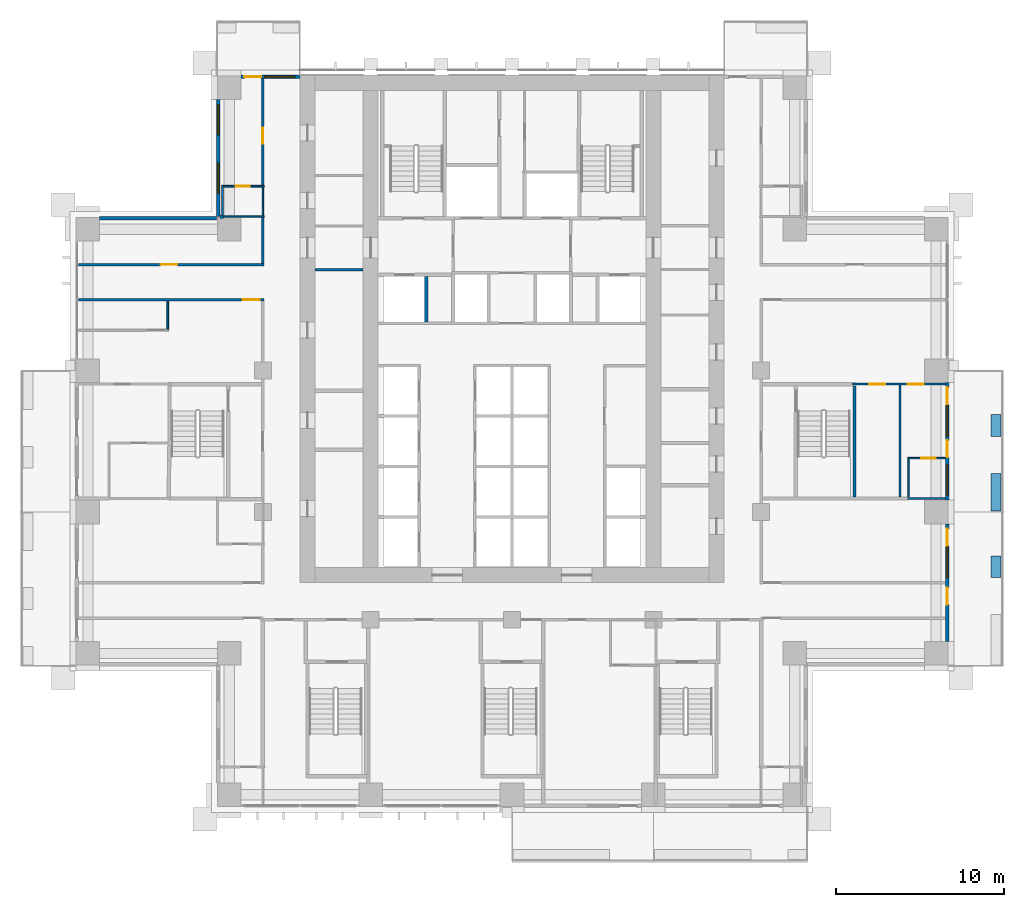
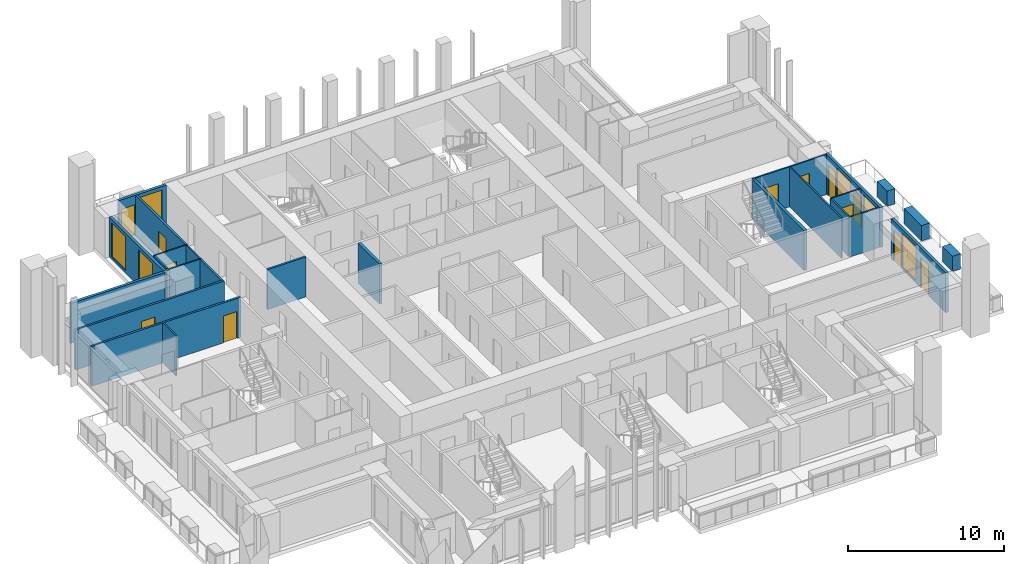
# One storey, part 12 of 19: 26 walls, 12 doors, 6 windows, 18 openings.
"""IFC4 building model written with IfcOpenShell, lengths in metres."""

from ifc_helpers import new_model, si_unit, direction, frame, frame_2d, origin, place, context, subcontext, project, spatial, rectangle, extrude, material, layer, layer_set, type_object, element, fill, save


model = new_model("IFC4")

# Units and contexts
model_context = context("Model", 3, precision=1e-05, world=origin(), true_north=direction((0.0, 1.0)))
body_context = subcontext(model_context, "Body", "Model", "MODEL_VIEW")
ifc_project = project(units=[si_unit("LENGTHUNIT", "METRE"), si_unit("AREAUNIT", "SQUARE_METRE"), si_unit("VOLUMEUNIT", "CUBIC_METRE"), si_unit("PLANEANGLEUNIT", "RADIAN"), si_unit("MASSUNIT", "GRAM", prefix="KILO")], contexts=[model_context])

# Site, building, storey
site_placement = place(None, origin())
site = spatial("IfcSite", under=ifc_project, at=site_placement, CompositionType="ELEMENT")
building_placement = place(site_placement, origin())
building = spatial("IfcBuilding", under=site, at=building_placement, Name="Vermilion Ogive Tower", CompositionType="ELEMENT")
storey_placement = place(building_placement, frame((0.0, 0.0, 48.300048828125)))
storey = spatial("IfcBuildingStorey", under=building, at=storey_placement, Name="L10", CompositionType="ELEMENT", Elevation=48.300048828125)

# Wall
ifc_material_1 = material(Name="Gypsum board partition on steel studs", Category="steel")
ifc_layer_1 = layer(ifc_material_1, 0.10009765625)
ifc_layer_set_1 = layer_set([ifc_layer_1], Name="Partition 100 bath")
wall_type_1 = type_object("IfcWallType", Name="Partition 100 bath", PredefinedType="PARTITIONING", material=ifc_layer_set_1)
wall_1_placement = place(storey_placement, frame((23.5, -3.39990234375, 0.0), z_axis=(0.0, 0.0, 1.0), x_axis=(1.0, 0.0, 0.0)))
element("IfcWall", 1, at=wall_1_placement, inside=storey, type_object=wall_type_1, Name="L10-W-W023", PredefinedType="PARTITIONING", context=body_context, shape_type="SweptSolid", body=[
    extrude(rectangle(XDim=2.25, YDim=0.10009765625, at=frame_2d((1.125, 0.0))), origin(), (0.0, 0.0, 1.0), 3.1298828125),
])

# Wall, opening, door
wall_2_placement = place(storey_placement, frame((23.5, -1.0, 0.0), z_axis=(0.0, 0.0, 1.0), x_axis=(1.0, 0.0, 0.0)))
wall_2 = element("IfcWall", 2, at=wall_2_placement, inside=storey, type_object=wall_type_1, Name="L10-W-W024", PredefinedType="PARTITIONING", context=body_context, shape_type="SweptSolid", body=[
    extrude(rectangle(XDim=2.25, YDim=0.10009765625, at=frame_2d((1.125, 0.0))), origin(), (0.0, 0.0, 1.0), 3.1298828125),
])
opening_1_placement = place(wall_2_placement, frame((0.824951171875, 0.0, 0.0)))
opening_1 = element("IfcOpeningElement", 3, at=opening_1_placement, cuts=wall_2, Name="Opening D1G3020", PredefinedType="OPENING", context=body_context, shape_type="SweptSolid", body=[
    extrude(rectangle(XDim=0.85009765625, YDim=2.10009765625, at=frame_2d((0.425048828125, 1.050048828125))), frame((0.0, 0.06005859375, 0.0), z_axis=(0.0, -1.0, 0.0), x_axis=(1.0, 0.0, 0.0)), (0.0, 0.0, 1.0), 0.1201171875),
])
ifc_material_2 = material(Name="Timber door leaf", Category="wood")
door_type_1 = type_object("IfcDoorType", Name="Bath door 850 x 2100 FD30", OperationType="SINGLE_SWING_LEFT", PredefinedType="DOOR", material=ifc_material_2)
door_1_placement = place(opening_1_placement, origin())
door_1 = element("IfcDoor", 4, at=door_1_placement, inside=storey, type_object=door_type_1, Name="L10-D-D020", OperationType="SINGLE_SWING_RIGHT", OverallHeight=2.10009765625, OverallWidth=0.85009765625, PredefinedType="DOOR", context=body_context, shape_type="SweptSolid", body=[
    extrude(rectangle(XDim=0.85009765625, YDim=2.10009765625, at=frame_2d((0.425048828125, 1.050048828125))), frame((0.0, 0.02490234375, 0.0), z_axis=(0.0, -1.0, 0.0), x_axis=(1.0, 0.0, 0.0)), (0.0, 0.0, 1.0), 0.050048828125),
])
fill(opening_1, door_1)

# Wall
wall_3_placement = place(storey_placement, frame((-17.25, 13.35009765625, 0.0), z_axis=(0.0, 0.0, 1.0), x_axis=(1.0, 0.0, 0.0)))
element("IfcWall", 5, at=wall_3_placement, inside=storey, type_object=wall_type_1, Name="L10-W-W036", PredefinedType="PARTITIONING", context=body_context, shape_type="SweptSolid", body=[
    extrude(rectangle(XDim=2.52490234375, YDim=0.10009765625, at=frame_2d((1.262451171875, 0.0))), origin(), (0.0, 0.0, 1.0), 3.1298828125),
])

# Wall, opening, door
wall_4_placement = place(storey_placement, frame((-17.25, 15.14990234375, 0.0), z_axis=(0.0, 0.0, 1.0), x_axis=(1.0, 0.0, 0.0)))
wall_4 = element("IfcWall", 6, at=wall_4_placement, inside=storey, type_object=wall_type_1, Name="L10-W-W039", PredefinedType="PARTITIONING", context=body_context, shape_type="SweptSolid", body=[
    extrude(rectangle(XDim=2.52490234375, YDim=0.10009765625, at=frame_2d((1.262451171875, 0.0))), origin(), (0.0, 0.0, 1.0), 3.1298828125),
])
opening_2_placement = place(wall_4_placement, frame((0.824951171875, 0.0, 0.0)))
opening_2 = element("IfcOpeningElement", 7, at=opening_2_placement, cuts=wall_4, Name="Opening D1G3010", PredefinedType="OPENING", context=body_context, shape_type="SweptSolid", body=[
    extrude(rectangle(XDim=0.85009765625, YDim=2.10009765625, at=frame_2d((0.425048828125, 1.050048828125))), frame((0.0, 0.06005859375, 0.0), z_axis=(0.0, -1.0, 0.0), x_axis=(1.0, 0.0, 0.0)), (0.0, 0.0, 1.0), 0.1201171875),
])
door_2_placement = place(opening_2_placement, origin())
door_2 = element("IfcDoor", 8, at=door_2_placement, inside=storey, type_object=door_type_1, Name="L10-D-D010", OperationType="SINGLE_SWING_RIGHT", OverallHeight=2.10009765625, OverallWidth=0.85009765625, PredefinedType="DOOR", context=body_context, shape_type="SweptSolid", body=[
    extrude(rectangle(XDim=0.85009765625, YDim=2.10009765625, at=frame_2d((0.425048828125, 1.050048828125))), frame((0.0, 0.02490234375, 0.0), z_axis=(0.0, -1.0, 0.0), x_axis=(1.0, 0.0, 0.0)), (0.0, 0.0, 1.0), 0.050048828125),
])
fill(opening_2, door_2)

# Walls
wall_5_placement = place(storey_placement, frame((-17.199951171875, 13.449951171875, 0.0), z_axis=(0.0, 0.0, 1.0), x_axis=(0.0, 1.0, 0.0)))
element("IfcWall", 9, at=wall_5_placement, inside=storey, type_object=wall_type_1, Name="L10-W-W046", PredefinedType="PARTITIONING", context=body_context, shape_type="SweptSolid", body=[
    extrude(rectangle(XDim=1.650146484375, YDim=0.10009765625, at=frame_2d((0.8251953125, 0.0))), origin(), (0.0, 0.0, 1.0), 3.1298828125),
])
wall_6_placement = place(storey_placement, frame((-14.800048828125, 13.39990234375, 0.0), z_axis=(0.0, 0.0, 1.0), x_axis=(0.0, 1.0, 0.0)))
element("IfcWall", 10, at=wall_6_placement, inside=storey, type_object=wall_type_1, Name="L10-W-W054", PredefinedType="PARTITIONING", context=body_context, shape_type="SweptSolid", body=[
    extrude(rectangle(XDim=1.7001953125, YDim=0.10009765625, at=frame_2d((0.85009765625, 0.0))), origin(), (0.0, 0.0, 1.0), 3.1298828125),
])
wall_7_placement = place(storey_placement, frame((23.550048828125, -3.300048828125, 0.0), z_axis=(0.0, 0.0, 1.0), x_axis=(0.0, 1.0, 0.0)))
element("IfcWall", 11, at=wall_7_placement, inside=storey, type_object=wall_type_1, Name="L10-W-W081", PredefinedType="PARTITIONING", context=body_context, shape_type="SweptSolid", body=[
    extrude(rectangle(XDim=2.25, YDim=0.10009765625, at=frame_2d((1.125, 0.0))), origin(), (0.0, 0.0, 1.0), 3.1298828125),
])

# Wall, openings, doors
ifc_material_3 = material(Name="Gypsum board partition on steel studs", Category="steel")
ifc_layer_2 = layer(ifc_material_3, 0.10009765625)
ifc_layer_set_2 = layer_set([ifc_layer_2], Name="Partition 100 inner")
wall_type_2 = type_object("IfcWallType", Name="Partition 100 inner", PredefinedType="PARTITIONING", material=ifc_layer_set_2)
wall_8_placement = place(storey_placement, frame((20.25, 3.39990234375, 0.0), z_axis=(0.0, 0.0, 1.0), x_axis=(1.0, 0.0, 0.0)))
wall_8 = element("IfcWall", 12, at=wall_8_placement, inside=storey, type_object=wall_type_2, Name="L10-W-W029", PredefinedType="PARTITIONING", context=body_context, shape_type="SweptSolid", body=[
    extrude(rectangle(XDim=5.5, YDim=0.10009765625, at=frame_2d((2.75, 0.0))), origin(), (0.0, 0.0, 1.0), 3.1298828125),
])
opening_3_placement = place(wall_8_placement, frame((3.27490234375, 0.0, 0.0)))
opening_3 = element("IfcOpeningElement", 13, at=opening_3_placement, cuts=wall_8, Name="Opening D1G3017", PredefinedType="OPENING", context=body_context, shape_type="SweptSolid", body=[
    extrude(rectangle(XDim=0.949951171875, YDim=2.10009765625, at=frame_2d((0.47509765625, 1.050048828125))), frame((0.0, 0.06005859375, 0.0), z_axis=(0.0, -1.0, 0.0), x_axis=(1.0, 0.0, 0.0)), (0.0, 0.0, 1.0), 0.1201171875),
])
opening_4_placement = place(wall_8_placement, frame((0.97509765625, 0.0, 0.0)))
opening_4 = element("IfcOpeningElement", 14, at=opening_4_placement, cuts=wall_8, Name="Opening D1G3019", PredefinedType="OPENING", context=body_context, shape_type="SweptSolid", body=[
    extrude(rectangle(XDim=0.949951171875, YDim=2.10009765625, at=frame_2d((0.47509765625, 1.050048828125))), frame((0.0, 0.06005859375, 0.0), z_axis=(0.0, -1.0, 0.0), x_axis=(1.0, 0.0, 0.0)), (0.0, 0.0, 1.0), 0.1201171875),
])
ifc_material_4 = material(Name="Timber door leaf", Category="wood")
door_type_2 = type_object("IfcDoorType", Name="Inner door 950 x 2100 FD30", OperationType="SINGLE_SWING_LEFT", PredefinedType="DOOR", material=ifc_material_4)
door_3_placement = place(opening_3_placement, origin())
door_3 = element("IfcDoor", 15, at=door_3_placement, inside=storey, type_object=door_type_2, Name="L10-D-D017", OperationType="SINGLE_SWING_RIGHT", OverallHeight=2.10009765625, OverallWidth=0.949951171875, PredefinedType="DOOR", context=body_context, shape_type="SweptSolid", body=[
    extrude(rectangle(XDim=0.949951171875, YDim=2.10009765625, at=frame_2d((0.47509765625, 1.050048828125))), frame((0.0, 0.02490234375, 0.0), z_axis=(0.0, -1.0, 0.0), x_axis=(1.0, 0.0, 0.0)), (0.0, 0.0, 1.0), 0.050048828125),
])
fill(opening_3, door_3)
door_4_placement = place(opening_4_placement, origin())
door_4 = element("IfcDoor", 16, at=door_4_placement, inside=storey, type_object=door_type_2, Name="L10-D-D019", OperationType="SINGLE_SWING_RIGHT", OverallHeight=2.10009765625, OverallWidth=0.949951171875, PredefinedType="DOOR", context=body_context, shape_type="SweptSolid", body=[
    extrude(rectangle(XDim=0.949951171875, YDim=2.10009765625, at=frame_2d((0.47509765625, 1.050048828125))), frame((0.0, 0.02490234375, 0.0), z_axis=(0.0, -1.0, 0.0), x_axis=(1.0, 0.0, 0.0)), (0.0, 0.0, 1.0), 0.050048828125),
])
fill(opening_4, door_4)

# Walls
wall_9_placement = place(storey_placement, frame((-20.449951171875, 6.64990234375, 0.0), z_axis=(0.0, 0.0, 1.0), x_axis=(0.0, 1.0, 0.0)))
element("IfcWall", 17, at=wall_9_placement, inside=storey, type_object=wall_type_2, Name="L10-W-W042", PredefinedType="PARTITIONING", context=body_context, shape_type="SweptSolid", body=[
    extrude(rectangle(XDim=1.675048828125, YDim=0.10009765625, at=frame_2d((0.83740234375, 0.0))), origin(), (0.0, 0.0, 1.0), 3.1298828125),
])
wall_10_placement = place(storey_placement, frame((23.050048828125, -3.300048828125, 0.0), z_axis=(0.0, 0.0, 1.0), x_axis=(0.0, 1.0, 0.0)))
element("IfcWall", 18, at=wall_10_placement, inside=storey, type_object=wall_type_2, Name="L10-W-W080", PredefinedType="PARTITIONING", context=body_context, shape_type="SweptSolid", body=[
    extrude(rectangle(XDim=6.650146484375, YDim=0.10009765625, at=frame_2d((3.3251953125, 0.0))), origin(), (0.0, 0.0, 1.0), 3.1298828125),
])

# Wall, opening, door
ifc_material_5 = material(Name="Gypsum board partition on steel studs", Category="steel")
ifc_layer_3 = layer(ifc_material_5, 0.14990234375)
ifc_layer_set_3 = layer_set([ifc_layer_3], Name="Partition 150 corridor")
wall_type_3 = type_object("IfcWallType", Name="Partition 150 corridor", PredefinedType="PARTITIONING", material=ifc_layer_set_3)
wall_11_placement = place(storey_placement, frame((-25.75, 8.39990234375, 0.0), z_axis=(0.0, 0.0, 1.0), x_axis=(1.0, 0.0, 0.0)))
wall_11 = element("IfcWall", 19, at=wall_11_placement, inside=storey, type_object=wall_type_3, Name="L10-W-W031", PredefinedType="PARTITIONING", context=body_context, shape_type="SweptSolid", body=[
    extrude(rectangle(XDim=11.02490234375, YDim=0.14990234375, at=frame_2d((5.512451171875, 0.0))), origin(), (0.0, 0.0, 1.0), 3.1298828125),
])
opening_5_placement = place(wall_11_placement, frame((9.75, 0.0, 0.0)))
opening_5 = element("IfcOpeningElement", 20, at=opening_5_placement, cuts=wall_11, Name="Opening D1G3006", PredefinedType="OPENING", context=body_context, shape_type="SweptSolid", body=[
    extrude(rectangle(XDim=1.0, YDim=2.10009765625, at=frame_2d((0.5, 1.050048828125))), frame((0.0, 0.0849609375, 0.0), z_axis=(0.0, -1.0, 0.0), x_axis=(1.0, 0.0, 0.0)), (0.0, 0.0, 1.0), 0.169921875),
])
ifc_material_6 = material(Name="Timber door leaf", Category="wood")
door_type_3 = type_object("IfcDoorType", Name="Unit door 1000 x 2100 FD30S", OperationType="SINGLE_SWING_LEFT", PredefinedType="DOOR", material=ifc_material_6)
door_5_placement = place(opening_5_placement, origin())
door_5 = element("IfcDoor", 21, at=door_5_placement, inside=storey, type_object=door_type_3, Name="L10-D-D006", OperationType="SINGLE_SWING_RIGHT", OverallHeight=2.10009765625, OverallWidth=1.0, PredefinedType="DOOR", context=body_context, shape_type="SweptSolid", body=[
    extrude(rectangle(XDim=1.0, YDim=2.10009765625, at=frame_2d((0.5, 1.050048828125))), frame((0.0, 0.02490234375, 0.0), z_axis=(0.0, -1.0, 0.0), x_axis=(1.0, 0.0, 0.0)), (0.0, 0.0, 1.0), 0.050048828125),
])
fill(opening_5, door_5)

wall_12_placement = place(storey_placement, frame((-25.75, 10.5, 0.0), z_axis=(0.0, 0.0, 1.0), x_axis=(1.0, 0.0, 0.0)))
wall_12 = element("IfcWall", 22, at=wall_12_placement, inside=storey, type_object=wall_type_3, Name="L10-W-W033", PredefinedType="PARTITIONING", context=body_context, shape_type="SweptSolid", body=[
    extrude(rectangle(XDim=11.02490234375, YDim=0.14990234375, at=frame_2d((5.512451171875, 0.0))), origin(), (0.0, 0.0, 1.0), 3.1298828125),
])
opening_6_placement = place(wall_12_placement, frame((4.875, 0.0, 0.0)))
opening_6 = element("IfcOpeningElement", 23, at=opening_6_placement, cuts=wall_12, Name="Opening D1G3035", PredefinedType="OPENING", context=body_context, shape_type="SweptSolid", body=[
    extrude(rectangle(XDim=1.0, YDim=2.10009765625, at=frame_2d((0.5, 1.050048828125))), frame((0.0, 0.0849609375, 0.0), z_axis=(0.0, -1.0, 0.0), x_axis=(1.0, 0.0, 0.0)), (0.0, 0.0, 1.0), 0.169921875),
])
door_6_placement = place(opening_6_placement, origin())
door_6 = element("IfcDoor", 24, at=door_6_placement, inside=storey, type_object=door_type_3, Name="L10-D-D035", OperationType="SINGLE_SWING_RIGHT", OverallHeight=2.10009765625, OverallWidth=1.0, PredefinedType="DOOR", context=body_context, shape_type="SweptSolid", body=[
    extrude(rectangle(XDim=1.0, YDim=2.10009765625, at=frame_2d((0.5, 1.050048828125))), frame((0.0, 0.02490234375, 0.0), z_axis=(0.0, -1.0, 0.0), x_axis=(1.0, 0.0, 0.0)), (0.0, 0.0, 1.0), 0.050048828125),
])
fill(opening_6, door_6)

# Wall
wall_13_placement = place(storey_placement, frame((-14.800048828125, 10.574951171875, 0.0), z_axis=(0.0, 0.0, 1.0), x_axis=(0.0, 1.0, 0.0)))
element("IfcWall", 25, at=wall_13_placement, inside=storey, type_object=wall_type_3, Name="L10-W-W053", PredefinedType="PARTITIONING", context=body_context, shape_type="SweptSolid", body=[
    extrude(rectangle(XDim=2.72509765625, YDim=0.14990234375, at=frame_2d((1.362548828125, 0.0))), origin(), (0.0, 0.0, 1.0), 3.1298828125),
])

# Wall, opening, door
wall_14_placement = place(storey_placement, frame((-14.800048828125, 15.199951171875, 0.0), z_axis=(0.0, 0.0, 1.0), x_axis=(0.0, 1.0, 0.0)))
wall_14 = element("IfcWall", 26, at=wall_14_placement, inside=storey, type_object=wall_type_3, Name="L10-W-W055", PredefinedType="PARTITIONING", context=body_context, shape_type="SweptSolid", body=[
    extrude(rectangle(XDim=6.35009765625, YDim=0.14990234375, at=frame_2d((3.175048828125, 0.0))), origin(), (0.0, 0.0, 1.0), 3.1298828125),
])
opening_7_placement = place(wall_14_placement, frame((2.47509765625, 0.0, 0.0)))
opening_7 = element("IfcOpeningElement", 27, at=opening_7_placement, cuts=wall_14, Name="Opening D1G3009", PredefinedType="OPENING", context=body_context, shape_type="SweptSolid", body=[
    extrude(rectangle(XDim=0.949951171875, YDim=2.10009765625, at=frame_2d((0.47509765625, 1.050048828125))), frame((0.0, 0.0849609375, 0.0), z_axis=(0.0, -1.0, 0.0), x_axis=(1.0, 0.0, 0.0)), (0.0, 0.0, 1.0), 0.169921875),
])
ifc_material_7 = material(Name="Timber door leaf", Category="wood")
door_type_4 = type_object("IfcDoorType", Name="Unit door 950 x 2100 FD30S", OperationType="SINGLE_SWING_LEFT", PredefinedType="DOOR", material=ifc_material_7)
door_7_placement = place(opening_7_placement, origin())
door_7 = element("IfcDoor", 28, at=door_7_placement, inside=storey, type_object=door_type_4, Name="L10-D-D009", OperationType="SINGLE_SWING_RIGHT", OverallHeight=2.10009765625, OverallWidth=0.949951171875, PredefinedType="DOOR", context=body_context, shape_type="SweptSolid", body=[
    extrude(rectangle(XDim=0.949951171875, YDim=2.10009765625, at=frame_2d((0.47509765625, 1.050048828125))), frame((0.0, 0.02490234375, 0.0), z_axis=(0.0, -1.0, 0.0), x_axis=(1.0, 0.0, 0.0)), (0.0, 0.0, 1.0), 0.050048828125),
])
fill(opening_7, door_7)

# Walls
wall_15_placement = place(storey_placement, frame((-11.698974609375, 10.199951171875, 0.0), z_axis=(0.0, 0.0, 1.0), x_axis=(1.0, 0.0, 0.0)))
element("IfcWall", 29, at=wall_15_placement, inside=storey, type_object=wall_type_3, Name="L10-CKW-W-W003", PredefinedType="PARTITIONING", context=body_context, shape_type="SweptSolid", body=[
    extrude(rectangle(XDim=2.847900390625, YDim=0.14990234375, at=frame_2d((1.423828125, 0.0))), origin(), (0.0, 0.0, 1.0), 3.1298828125),
])
ifc_material_8 = material(Name="Gypsum board partition on steel studs", Category="steel")
ifc_layer_4 = layer(ifc_material_8, 0.199951171875)
ifc_layer_set_4 = layer_set([ifc_layer_4], Name="Partition 200 party")
wall_type_4 = type_object("IfcWallType", Name="Partition 200 party", PredefinedType="PARTITIONING", material=ifc_layer_set_4)
wall_16_placement = place(storey_placement, frame((-17.35009765625, 13.35009765625, 0.0), z_axis=(0.0, 0.0, 1.0), x_axis=(1.0, 0.0, 0.0)))
element("IfcWall", 30, at=wall_16_placement, inside=storey, type_object=wall_type_4, Name="L10-W-W035", PredefinedType="PARTITIONING", context=body_context, shape_type="SweptSolid", body=[
    extrude(rectangle(XDim=0.2001953125, YDim=0.199951171875, at=frame_2d((0.10009765625, 0.0))), origin(), (0.0, 0.0, 1.0), 3.1298828125),
])
wall_17_placement = place(storey_placement, frame((-5.10009765625, 7.074951171875, 0.0), z_axis=(0.0, 0.0, 1.0), x_axis=(0.0, 1.0, 0.0)))
element("IfcWall", 31, at=wall_17_placement, inside=storey, type_object=wall_type_4, Name="L10-CK-W-W022", PredefinedType="PARTITIONING", context=body_context, shape_type="SweptSolid", body=[
    extrude(rectangle(XDim=2.72509765625, YDim=0.199951171875, at=frame_2d((1.362548828125, 0.0))), origin(), (0.0, 0.0, 1.0), 3.1298828125),
])
ifc_material_9 = material(Name="Concrete B60", Category="concrete")
ifc_layer_5 = layer(ifc_material_9, 0.199951171875)
ifc_layer_set_5 = layer_set([ifc_layer_5], Name="Stair shaft wall 200 Concrete B60")
wall_type_5 = type_object("IfcWallType", Name="Stair shaft wall 200 Concrete B60", PredefinedType="SOLIDWALL", material=ifc_layer_set_5)
wall_18_placement = place(storey_placement, frame((20.35009765625, -3.300048828125, 0.0), z_axis=(0.0, 0.0, 1.0), x_axis=(0.0, 1.0, 0.0)))
element("IfcWall", 32, at=wall_18_placement, inside=storey, type_object=wall_type_5, Name="L10-W-W079", PredefinedType="SOLIDWALL", context=body_context, shape_type="SweptSolid", body=[
    extrude(rectangle(XDim=6.60009765625, YDim=0.199951171875, at=frame_2d((3.300048828125, 0.0))), origin(), (0.0, 0.0, 1.0), 3.1298828125),
])
ifc_material_10 = material(Name="Concrete B40", Category="concrete")
ifc_layer_6 = layer(ifc_material_10, 0.60009765625)
ifc_layer_set_6 = layer_set([ifc_layer_6], Name="Structural planter")
wall_type_6 = type_object("IfcWallType", Name="Structural planter", PredefinedType="USERDEFINED", material=ifc_layer_set_6)
wall_19_placement = place(storey_placement, frame((28.75, -8.10009765625, -0.0400390625), z_axis=(0.0, 0.0, 1.0), x_axis=(0.0, 1.0, 0.0)))
element("IfcWall", 33, at=wall_19_placement, inside=storey, type_object=wall_type_6, Name="Planter E01A2", ObjectType="PLANTER", PredefinedType="USERDEFINED", context=body_context, shape_type="SweptSolid", body=[
    extrude(rectangle(XDim=1.300048828125, YDim=0.60009765625, at=frame_2d((0.64990234375, 0.0))), origin(), (0.0, 0.0, 1.0), 1.199951171875),
])
wall_20_placement = place(storey_placement, frame((28.75, -4.139892578125, -0.0400390625), z_axis=(0.0, 0.0, 1.0), x_axis=(0.0, 1.0, 0.0)))
element("IfcWall", 34, at=wall_20_placement, inside=storey, type_object=wall_type_6, Name="Planter E02A1", ObjectType="PLANTER", PredefinedType="USERDEFINED", context=body_context, shape_type="SweptSolid", body=[
    extrude(rectangle(XDim=2.239990234375, YDim=0.60009765625, at=frame_2d((1.1201171875, 0.0))), origin(), (0.0, 0.0, 1.0), 1.199951171875),
])
wall_21_placement = place(storey_placement, frame((28.75, 0.300048828125, -0.0400390625), z_axis=(0.0, 0.0, 1.0), x_axis=(0.0, 1.0, 0.0)))
element("IfcWall", 35, at=wall_21_placement, inside=storey, type_object=wall_type_6, Name="Planter E02A2", ObjectType="PLANTER", PredefinedType="USERDEFINED", context=body_context, shape_type="SweptSolid", body=[
    extrude(rectangle(XDim=1.300048828125, YDim=0.60009765625, at=frame_2d((0.64990234375, 0.0))), origin(), (0.0, 0.0, 1.0), 1.199951171875),
])

# Wall, openings, doors, window
ifc_material_11 = material(Name="Aluminium window wall framing", Category="aluminium")
ifc_layer_7 = layer(ifc_material_11, 0.199951171875)
ifc_layer_set_7 = layer_set([ifc_layer_7], Name="Window wall")
wall_type_7 = type_object("IfcWallType", Name="Window wall", PredefinedType="STANDARD", material=ifc_layer_set_7)
wall_22_placement = place(storey_placement, frame((25.85009765625, -11.89990234375, 0.0), z_axis=(0.0, 0.0, 1.0), x_axis=(0.0, 1.0, 0.0)))
wall_22 = element("IfcWall", 36, at=wall_22_placement, inside=storey, type_object=wall_type_7, Name="Window wall E1", PredefinedType="STANDARD", context=body_context, shape_type="SweptSolid", body=[
    extrude(rectangle(XDim=7.0, YDim=0.199951171875, at=frame_2d((3.5, 0.0))), origin(), (0.0, 0.0, 1.0), 3.1298828125),
])
opening_8_placement = place(wall_22_placement, frame((2.199951171875, 0.0, 0.0)))
opening_8 = element("IfcOpeningElement", 37, at=opening_8_placement, cuts=wall_22, Name="Opening D1-E97", PredefinedType="OPENING", context=body_context, shape_type="SweptSolid", body=[
    extrude(rectangle(XDim=1.0, YDim=2.39990234375, at=frame_2d((0.5, 1.199951171875))), frame((0.0, 0.10986328125, 0.0), z_axis=(0.0, -1.0, 0.0), x_axis=(1.0, 0.0, 0.0)), (0.0, 0.0, 1.0), 0.219970703125),
])
opening_9_placement = place(wall_22_placement, frame((3.800048828125, 0.0, 0.199951171875)))
opening_9 = element("IfcOpeningElement", 38, at=opening_9_placement, cuts=wall_22, Name="Opening W1-E98", PredefinedType="OPENING", context=body_context, shape_type="SweptSolid", body=[
    extrude(rectangle(XDim=1.800048828125, YDim=2.64990234375, at=frame_2d((0.89990234375, 1.324951171875))), frame((0.0, 0.10986328125, 0.0), z_axis=(0.0, -1.0, 0.0), x_axis=(1.0, 0.0, 0.0)), (0.0, 0.0, 1.0), 0.219970703125),
])
opening_10_placement = place(wall_22_placement, frame((5.699951171875, 0.0, 0.0)))
opening_10 = element("IfcOpeningElement", 39, at=opening_10_placement, cuts=wall_22, Name="Opening D1-E98", PredefinedType="OPENING", context=body_context, shape_type="SweptSolid", body=[
    extrude(rectangle(XDim=1.0, YDim=2.39990234375, at=frame_2d((0.5, 1.199951171875))), frame((0.0, 0.10986328125, 0.0), z_axis=(0.0, -1.0, 0.0), x_axis=(1.0, 0.0, 0.0)), (0.0, 0.0, 1.0), 0.219970703125),
])
ifc_material_12 = material(Name="Aluminium framed glazed door", Category="aluminium")
door_type_5 = type_object("IfcDoorType", Name="Balcony door D1", OperationType="SINGLE_SWING_LEFT", PredefinedType="DOOR", material=ifc_material_12)
door_8_placement = place(opening_8_placement, origin())
door_8 = element("IfcDoor", 40, at=door_8_placement, inside=storey, type_object=door_type_5, Name="Balcony door E97", OperationType="SINGLE_SWING_LEFT", OverallHeight=2.39990234375, OverallWidth=1.0, PredefinedType="DOOR", context=body_context, shape_type="SweptSolid", body=[
    extrude(rectangle(XDim=1.0, YDim=2.39990234375, at=frame_2d((0.5, 1.199951171875))), frame((0.0, 0.02490234375, 0.0), z_axis=(0.0, -1.0, 0.0), x_axis=(1.0, 0.0, 0.0)), (0.0, 0.0, 1.0), 0.050048828125),
])
fill(opening_8, door_8)
door_9_placement = place(opening_10_placement, origin())
door_9 = element("IfcDoor", 41, at=door_9_placement, inside=storey, type_object=door_type_5, Name="Balcony door E98", OperationType="SINGLE_SWING_LEFT", OverallHeight=2.39990234375, OverallWidth=1.0, PredefinedType="DOOR", context=body_context, shape_type="SweptSolid", body=[
    extrude(rectangle(XDim=1.0, YDim=2.39990234375, at=frame_2d((0.5, 1.199951171875))), frame((0.0, 0.02490234375, 0.0), z_axis=(0.0, -1.0, 0.0), x_axis=(1.0, 0.0, 0.0)), (0.0, 0.0, 1.0), 0.050048828125),
])
fill(opening_10, door_9)
ifc_material_13 = material(Name="Aluminium framed double glazing", Category="aluminium")
window_type = type_object("IfcWindowType", Name="Guest window W1", PartitioningType="SINGLE_PANEL", PredefinedType="WINDOW", material=ifc_material_13)
window_1_placement = place(opening_9_placement, origin())
window_1 = element("IfcWindow", 42, at=window_1_placement, inside=storey, type_object=window_type, Name="Window E98", OverallHeight=2.64990234375, OverallWidth=1.800048828125, PartitioningType="SINGLE_PANEL", PredefinedType="WINDOW", context=body_context, shape_type="SweptSolid", body=[
    extrude(rectangle(XDim=1.800048828125, YDim=2.64990234375, at=frame_2d((0.89990234375, 1.324951171875))), frame((0.0, 0.030029296875, 0.0), z_axis=(0.0, -1.0, 0.0), x_axis=(1.0, 0.0, 0.0)), (0.0, 0.0, 1.0), 0.06005859375),
])
fill(opening_9, window_1)

# Wall, openings, doors, windows
wall_23_placement = place(storey_placement, frame((25.85009765625, -3.5, 0.0), z_axis=(0.0, 0.0, 1.0), x_axis=(0.0, 1.0, 0.0)))
wall_23 = element("IfcWall", 43, at=wall_23_placement, inside=storey, type_object=wall_type_7, Name="Window wall E2", PredefinedType="STANDARD", context=body_context, shape_type="SweptSolid", body=[
    extrude(rectangle(XDim=7.0, YDim=0.199951171875, at=frame_2d((3.5, 0.0))), origin(), (0.0, 0.0, 1.0), 3.1298828125),
])
opening_11_placement = place(wall_23_placement, frame((0.300048828125, 0.0, 0.199951171875)))
opening_11 = element("IfcOpeningElement", 44, at=opening_11_placement, cuts=wall_23, Name="Opening W1-E99", PredefinedType="OPENING", context=body_context, shape_type="SweptSolid", body=[
    extrude(rectangle(XDim=1.800048828125, YDim=2.64990234375, at=frame_2d((0.89990234375, 1.324951171875))), frame((0.0, 0.10986328125, 0.0), z_axis=(0.0, -1.0, 0.0), x_axis=(1.0, 0.0, 0.0)), (0.0, 0.0, 1.0), 0.219970703125),
])
opening_12_placement = place(wall_23_placement, frame((2.550048828125, 0.0, 0.0)))
opening_12 = element("IfcOpeningElement", 45, at=opening_12_placement, cuts=wall_23, Name="Opening D1-E99", PredefinedType="OPENING", context=body_context, shape_type="SweptSolid", body=[
    extrude(rectangle(XDim=1.0, YDim=2.39990234375, at=frame_2d((0.5, 1.199951171875))), frame((0.0, 0.10986328125, 0.0), z_axis=(0.0, -1.0, 0.0), x_axis=(1.0, 0.0, 0.0)), (0.0, 0.0, 1.0), 0.219970703125),
])
opening_13_placement = place(wall_23_placement, frame((3.800048828125, 0.0, 0.199951171875)))
opening_13 = element("IfcOpeningElement", 46, at=opening_13_placement, cuts=wall_23, Name="Opening W1-E00", PredefinedType="OPENING", context=body_context, shape_type="SweptSolid", body=[
    extrude(rectangle(XDim=1.800048828125, YDim=2.64990234375, at=frame_2d((0.89990234375, 1.324951171875))), frame((0.0, 0.10986328125, 0.0), z_axis=(0.0, -1.0, 0.0), x_axis=(1.0, 0.0, 0.0)), (0.0, 0.0, 1.0), 0.219970703125),
])
opening_14_placement = place(wall_23_placement, frame((5.699951171875, 0.0, 0.0)))
opening_14 = element("IfcOpeningElement", 47, at=opening_14_placement, cuts=wall_23, Name="Opening D1-E00", PredefinedType="OPENING", context=body_context, shape_type="SweptSolid", body=[
    extrude(rectangle(XDim=1.0, YDim=2.39990234375, at=frame_2d((0.5, 1.199951171875))), frame((0.0, 0.10986328125, 0.0), z_axis=(0.0, -1.0, 0.0), x_axis=(1.0, 0.0, 0.0)), (0.0, 0.0, 1.0), 0.219970703125),
])
door_10_placement = place(opening_12_placement, origin())
door_10 = element("IfcDoor", 48, at=door_10_placement, inside=storey, type_object=door_type_5, Name="Balcony door E99", OperationType="SINGLE_SWING_LEFT", OverallHeight=2.39990234375, OverallWidth=1.0, PredefinedType="DOOR", context=body_context, shape_type="SweptSolid", body=[
    extrude(rectangle(XDim=1.0, YDim=2.39990234375, at=frame_2d((0.5, 1.199951171875))), frame((0.0, 0.02490234375, 0.0), z_axis=(0.0, -1.0, 0.0), x_axis=(1.0, 0.0, 0.0)), (0.0, 0.0, 1.0), 0.050048828125),
])
fill(opening_12, door_10)
door_11_placement = place(opening_14_placement, origin())
door_11 = element("IfcDoor", 49, at=door_11_placement, inside=storey, type_object=door_type_5, Name="Balcony door E00", OperationType="SINGLE_SWING_LEFT", OverallHeight=2.39990234375, OverallWidth=1.0, PredefinedType="DOOR", context=body_context, shape_type="SweptSolid", body=[
    extrude(rectangle(XDim=1.0, YDim=2.39990234375, at=frame_2d((0.5, 1.199951171875))), frame((0.0, 0.02490234375, 0.0), z_axis=(0.0, -1.0, 0.0), x_axis=(1.0, 0.0, 0.0)), (0.0, 0.0, 1.0), 0.050048828125),
])
fill(opening_14, door_11)
window_2_placement = place(opening_11_placement, origin())
window_2 = element("IfcWindow", 50, at=window_2_placement, inside=storey, type_object=window_type, Name="Window E99", OverallHeight=2.64990234375, OverallWidth=1.800048828125, PartitioningType="SINGLE_PANEL", PredefinedType="WINDOW", context=body_context, shape_type="SweptSolid", body=[
    extrude(rectangle(XDim=1.800048828125, YDim=2.64990234375, at=frame_2d((0.89990234375, 1.324951171875))), frame((0.0, 0.030029296875, 0.0), z_axis=(0.0, -1.0, 0.0), x_axis=(1.0, 0.0, 0.0)), (0.0, 0.0, 1.0), 0.06005859375),
])
fill(opening_11, window_2)
window_3_placement = place(opening_13_placement, origin())
window_3 = element("IfcWindow", 51, at=window_3_placement, inside=storey, type_object=window_type, Name="Window E00", OverallHeight=2.64990234375, OverallWidth=1.800048828125, PartitioningType="SINGLE_PANEL", PredefinedType="WINDOW", context=body_context, shape_type="SweptSolid", body=[
    extrude(rectangle(XDim=1.800048828125, YDim=2.64990234375, at=frame_2d((0.89990234375, 1.324951171875))), frame((0.0, 0.030029296875, 0.0), z_axis=(0.0, -1.0, 0.0), x_axis=(1.0, 0.0, 0.0)), (0.0, 0.0, 1.0), 0.06005859375),
])
fill(opening_13, window_3)

# Wall, openings, door, window
wall_24_placement = place(storey_placement, frame((-12.60009765625, 21.64990234375, 0.0), z_axis=(0.0, 0.0, 1.0), x_axis=(-1.0, 0.0, 0.0)))
wall_24 = element("IfcWall", 52, at=wall_24_placement, inside=storey, type_object=wall_type_7, Name="Window wall N21", PredefinedType="STANDARD", context=body_context, shape_type="SweptSolid", body=[
    extrude(rectangle(XDim=3.5, YDim=0.199951171875, at=frame_2d((1.75, 0.0))), origin(), (0.0, 0.0, 1.0), 3.1298828125),
])
opening_15_placement = place(wall_24_placement, frame((0.300048828125, 0.0, 0.199951171875)))
opening_15 = element("IfcOpeningElement", 53, at=opening_15_placement, cuts=wall_24, Name="Opening W1-N296", PredefinedType="OPENING", context=body_context, shape_type="SweptSolid", body=[
    extrude(rectangle(XDim=1.800048828125, YDim=2.64990234375, at=frame_2d((0.89990234375, 1.324951171875))), frame((0.0, 0.10986328125, 0.0), z_axis=(0.0, -1.0, 0.0), x_axis=(1.0, 0.0, 0.0)), (0.0, 0.0, 1.0), 0.219970703125),
])
opening_16_placement = place(wall_24_placement, frame((2.300048828125, 0.0, 0.0)))
opening_16 = element("IfcOpeningElement", 54, at=opening_16_placement, cuts=wall_24, Name="Opening D1-N296", PredefinedType="OPENING", context=body_context, shape_type="SweptSolid", body=[
    extrude(rectangle(XDim=1.0, YDim=2.39990234375, at=frame_2d((0.5, 1.199951171875))), frame((0.0, 0.10986328125, 0.0), z_axis=(0.0, -1.0, 0.0), x_axis=(1.0, 0.0, 0.0)), (0.0, 0.0, 1.0), 0.219970703125),
])
door_12_placement = place(opening_16_placement, origin())
door_12 = element("IfcDoor", 55, at=door_12_placement, inside=storey, type_object=door_type_5, Name="Balcony door N296", OperationType="SINGLE_SWING_LEFT", OverallHeight=2.39990234375, OverallWidth=1.0, PredefinedType="DOOR", context=body_context, shape_type="SweptSolid", body=[
    extrude(rectangle(XDim=1.0, YDim=2.39990234375, at=frame_2d((0.5, 1.199951171875))), frame((0.0, 0.02490234375, 0.0), z_axis=(0.0, -1.0, 0.0), x_axis=(1.0, 0.0, 0.0)), (0.0, 0.0, 1.0), 0.050048828125),
])
fill(opening_16, door_12)
window_4_placement = place(opening_15_placement, origin())
window_4 = element("IfcWindow", 56, at=window_4_placement, inside=storey, type_object=window_type, Name="Window N296", OverallHeight=2.64990234375, OverallWidth=1.800048828125, PartitioningType="SINGLE_PANEL", PredefinedType="WINDOW", context=body_context, shape_type="SweptSolid", body=[
    extrude(rectangle(XDim=1.800048828125, YDim=2.64990234375, at=frame_2d((0.89990234375, 1.324951171875))), frame((0.0, 0.030029296875, 0.0), z_axis=(0.0, -1.0, 0.0), x_axis=(1.0, 0.0, 0.0)), (0.0, 0.0, 1.0), 0.06005859375),
])
fill(opening_15, window_4)

# Wall, openings, windows
wall_25_placement = place(storey_placement, frame((-17.449951171875, 20.300048828125, 0.0), z_axis=(0.0, 0.0, 1.0), x_axis=(0.0, -1.0, 0.0)))
wall_25 = element("IfcWall", 57, at=wall_25_placement, inside=storey, type_object=wall_type_7, Name="Window wall X51", PredefinedType="STANDARD", context=body_context, shape_type="SweptSolid", body=[
    extrude(rectangle(XDim=6.949951171875, YDim=0.199951171875, at=frame_2d((3.47509765625, 0.0))), origin(), (0.0, 0.0, 1.0), 3.1298828125),
])
opening_17_placement = place(wall_25_placement, frame((3.77490234375, 0.0, 0.199951171875)))
opening_17 = element("IfcOpeningElement", 58, at=opening_17_placement, cuts=wall_25, Name="Opening W1-X503", PredefinedType="OPENING", context=body_context, shape_type="SweptSolid", body=[
    extrude(rectangle(XDim=1.800048828125, YDim=2.64990234375, at=frame_2d((0.89990234375, 1.324951171875))), frame((0.0, 0.10986328125, 0.0), z_axis=(0.0, -1.0, 0.0), x_axis=(1.0, 0.0, 0.0)), (0.0, 0.0, 1.0), 0.219970703125),
])
opening_18_placement = place(wall_25_placement, frame((0.300048828125, 0.0, 0.199951171875)))
opening_18 = element("IfcOpeningElement", 59, at=opening_18_placement, cuts=wall_25, Name="Opening W1-X504", PredefinedType="OPENING", context=body_context, shape_type="SweptSolid", body=[
    extrude(rectangle(XDim=1.800048828125, YDim=2.64990234375, at=frame_2d((0.89990234375, 1.324951171875))), frame((0.0, 0.10986328125, 0.0), z_axis=(0.0, -1.0, 0.0), x_axis=(1.0, 0.0, 0.0)), (0.0, 0.0, 1.0), 0.219970703125),
])
window_5_placement = place(opening_17_placement, origin())
window_5 = element("IfcWindow", 60, at=window_5_placement, inside=storey, type_object=window_type, Name="Window X503", OverallHeight=2.64990234375, OverallWidth=1.800048828125, PartitioningType="SINGLE_PANEL", PredefinedType="WINDOW", context=body_context, shape_type="SweptSolid", body=[
    extrude(rectangle(XDim=1.800048828125, YDim=2.64990234375, at=frame_2d((0.89990234375, 1.324951171875))), frame((0.0, 0.030029296875, 0.0), z_axis=(0.0, -1.0, 0.0), x_axis=(1.0, 0.0, 0.0)), (0.0, 0.0, 1.0), 0.06005859375),
])
fill(opening_17, window_5)
window_6_placement = place(opening_18_placement, origin())
window_6 = element("IfcWindow", 61, at=window_6_placement, inside=storey, type_object=window_type, Name="Window X504", OverallHeight=2.64990234375, OverallWidth=1.800048828125, PartitioningType="SINGLE_PANEL", PredefinedType="WINDOW", context=body_context, shape_type="SweptSolid", body=[
    extrude(rectangle(XDim=1.800048828125, YDim=2.64990234375, at=frame_2d((0.89990234375, 1.324951171875))), frame((0.0, 0.030029296875, 0.0), z_axis=(0.0, -1.0, 0.0), x_axis=(1.0, 0.0, 0.0)), (0.0, 0.0, 1.0), 0.06005859375),
])
fill(opening_18, window_6)

# Wall
wall_26_placement = place(storey_placement, frame((-17.550048828125, 13.25, 0.0), z_axis=(0.0, 0.0, 1.0), x_axis=(-1.0, 0.0, 0.0)))
element("IfcWall", 62, at=wall_26_placement, inside=storey, type_object=wall_type_7, Name="Window wall X61", PredefinedType="STANDARD", context=body_context, shape_type="SweptSolid", body=[
    extrude(rectangle(XDim=6.949951171875, YDim=0.199951171875, at=frame_2d((3.47509765625, 0.0))), origin(), (0.0, 0.0, 1.0), 3.1298828125),
])

save(model, "model.ifc")
